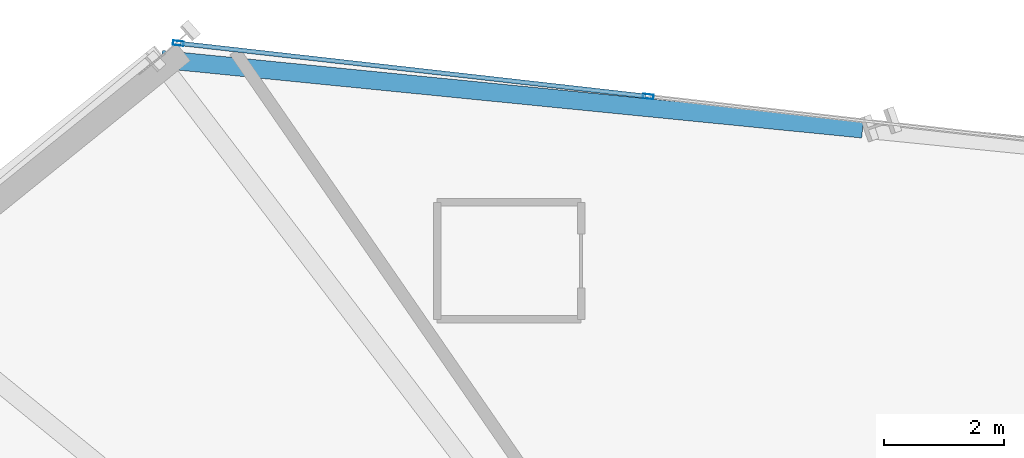
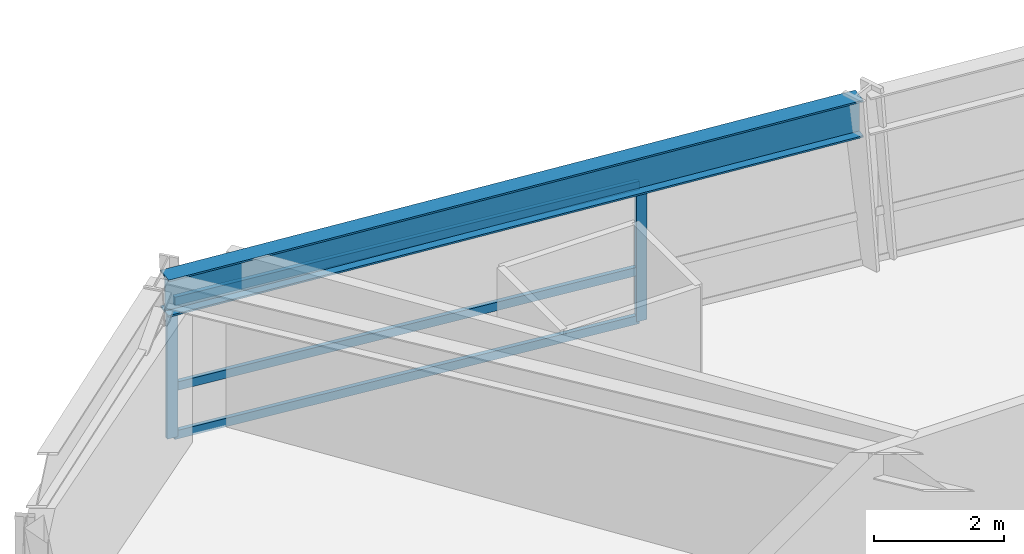
# One storey, part 8 of 22: 5 members, 1 beam, 1 element without a shape of its own.
"""IFC4 building model written with IfcOpenShell, lengths in metres."""

from ifc_helpers import new_model, si_unit, direction, frame, origin, origin_2d, place, context, subcontext, project, spatial, hollow_rectangle, i_section, extrude, source, transform, mapped, material, material_profile, profile_set, type_object, element, aggregate, save


model = new_model("IFC4")

# Units and contexts
model_context = context("Model", 3, precision=1e-05, world=origin(), true_north=direction((0.0, 1.0)))
body_context = subcontext(model_context, "Body", "Model", "MODEL_VIEW")
ifc_project = project(units=[si_unit("LENGTHUNIT", "METRE"), si_unit("AREAUNIT", "SQUARE_METRE"), si_unit("VOLUMEUNIT", "CUBIC_METRE"), si_unit("PLANEANGLEUNIT", "RADIAN"), si_unit("MASSUNIT", "GRAM", prefix="KILO")], contexts=[model_context])

# Site, building, storey
site_placement = place(None, origin())
site = spatial("IfcSite", under=ifc_project, at=site_placement, CompositionType="ELEMENT")
building_placement = place(site_placement, origin())
building = spatial("IfcBuilding", under=site, at=building_placement, Name="Olszyna Solenne Hotel", CompositionType="ELEMENT")
storey_placement = place(building_placement, frame((0.0, 0.0, 61.25)))
storey = spatial("IfcBuildingStorey", under=building, at=storey_placement, Name="L15", CompositionType="ELEMENT", Elevation=61.25)

# Beam
ifc_material_1 = material(Name="Steel S355J2", Category="steel")
ifc_material_profile_1 = material_profile(ifc_material_1, i_section(OverallWidth=0.300048828125, OverallDepth=0.699951171875, WebThickness=0.01708984375, FlangeThickness=0.031982421875, at=origin_2d()), Name="HEB 700", Category="load-bearing")
ifc_profile_set_1 = profile_set([ifc_material_profile_1], Name="Steel S355J2")
beam_type = type_object("IfcBeamType", Name="BM-S1", PredefinedType="BEAM", material=ifc_profile_set_1)
shared_shape_1 = source(origin(), body_context, "Body", "SweptSolid", [
    extrude(i_section(OverallWidth=0.300048828125, OverallDepth=0.699951171875, WebThickness=0.01708984375, FlangeThickness=0.031982421875, at=origin_2d()), origin(), (0.0, 0.0, 1.0), 11.748291015625),
])
beam_placement = place(storey_placement, frame((34.974365234375, 44.839111328125, 2.949951171875), z_axis=(-0.995101791396, 0.098855575267, 0.0), x_axis=(-0.098855575267, -0.995101791396, 0.0)))
element("IfcBeam", 1, at=beam_placement, inside=storey, type_object=beam_type, Name="Perimeter spandrel beam BM-S1 B-L15-0469", PredefinedType="BEAM", context=body_context, shape_type="MappedRepresentation", body=[
    mapped(shared_shape_1, transform((0.0, 0.0, 0.0), x_axis=(1.0, 0.0, 0.0), y_axis=(0.0, 1.0, 0.0), z_axis=(0.0, 0.0, 1.0), scale=1.0)),
])

# Curtain wall, members
ifc_material_2 = material(Name="Anodised bronze aluminium", Category="aluminium")
curtain_wall_type = type_object("IfcCurtainWallType", Name="CW-SYS-2", PredefinedType="NOTDEFINED", material=ifc_material_2)
curtain_wall_placement = place(storey_placement, origin())
curtain_wall = element("IfcCurtainWall", 2, at=curtain_wall_placement, inside=storey, type_object=curtain_wall_type, Name="Unitised curtain wall CW-SYS-2 CW-L15-02", PredefinedType="NOTDEFINED")
ifc_material_profile_2 = material_profile(ifc_material_2, hollow_rectangle(XDim=0.074951171875, YDim=0.179931640625, WallThickness=0.00439453125, at=origin_2d()), Name="MULL 180x75x4.5", Category="load-bearing")
ifc_profile_set_2 = profile_set([ifc_material_profile_2], Name="Anodised bronze aluminium")
member_type_1 = type_object("IfcMemberType", Name="CW-M2", PredefinedType="MULLION", material=ifc_profile_set_2)
shared_shape_2 = source(origin(), body_context, "Body", "SweptSolid", [
    extrude(hollow_rectangle(XDim=0.074951171875, YDim=0.179931640625, WallThickness=0.00439453125, at=origin_2d()), origin(), (0.0, 0.0, 1.0), 2.592041015625),
])
member_1_placement = place(storey_placement, frame((23.564697265625, 46.270263671875, 0.0), z_axis=(0.0, 0.0, 1.0), x_axis=(0.112596938937, 0.993640744606, 0.0)))
member_1 = element("IfcMember", 3, at=member_1_placement, type_object=member_type_1, Name="Curtain-wall mullion CW-M2 CM-L15-02-01", PredefinedType="MULLION", context=body_context, shape_type="MappedRepresentation", body=[
    mapped(shared_shape_2, transform((0.0, 0.0, 0.0), x_axis=(1.0, 0.0, 0.0), y_axis=(0.0, 1.0, 0.0), z_axis=(0.0, 0.0, 1.0), scale=1.0)),
])
member_2_placement = place(storey_placement, frame((31.39990234375, 45.38232421875, 0.0), z_axis=(0.0, 0.0, 1.0), x_axis=(0.112596938937, 0.993640744606, 0.0)))
member_2 = element("IfcMember", 4, at=member_2_placement, type_object=member_type_1, Name="Curtain-wall mullion CW-M2 CM-L15-02-02", PredefinedType="MULLION", context=body_context, shape_type="MappedRepresentation", body=[
    mapped(shared_shape_2, transform((0.0, 0.0, 0.0), x_axis=(1.0, 0.0, 0.0), y_axis=(0.0, 1.0, 0.0), z_axis=(0.0, 0.0, 1.0), scale=1.0)),
])
ifc_material_profile_3 = material_profile(ifc_material_2, hollow_rectangle(XDim=0.074951171875, YDim=0.159912109375, WallThickness=0.00390625, at=origin_2d()), Name="TRAN 160x75x4", Category="load-bearing")
ifc_profile_set_3 = profile_set([ifc_material_profile_3], Name="Anodised bronze aluminium")
member_type_2 = type_object("IfcMemberType", Name="CW-T1", PredefinedType="USERDEFINED", material=ifc_profile_set_3)
shared_shape_3 = source(origin(), body_context, "Body", "SweptSolid", [
    extrude(hollow_rectangle(XDim=0.074951171875, YDim=0.159912109375, WallThickness=0.00390625, at=origin_2d()), origin(), (0.0, 0.0, 1.0), 7.810546875),
])
member_3_placement = place(storey_placement, frame((23.601806640625, 46.26611328125, 0.03759765625), z_axis=(0.993641624905, -0.112589170245, 0.0), x_axis=(0.112589170245, 0.993641624905, 0.0)))
member_3 = element("IfcMember", 5, at=member_3_placement, type_object=member_type_2, Name="Curtain-wall transom CW-T1 CT-L15-02-01", ObjectType="TRANSOM", PredefinedType="USERDEFINED", context=body_context, shape_type="MappedRepresentation", body=[
    mapped(shared_shape_3, transform((0.0, 0.0, 0.0), x_axis=(1.0, 0.0, 0.0), y_axis=(0.0, 1.0, 0.0), z_axis=(0.0, 0.0, 1.0), scale=1.0)),
])
member_4_placement = place(storey_placement, frame((23.601806640625, 46.26611328125, 0.949951171875), z_axis=(0.993641624905, -0.112589170245, 0.0), x_axis=(0.112589170245, 0.993641624905, 0.0)))
member_4 = element("IfcMember", 6, at=member_4_placement, type_object=member_type_2, Name="Curtain-wall transom CW-T1 CT-L15-02-02", ObjectType="TRANSOM", PredefinedType="USERDEFINED", context=body_context, shape_type="MappedRepresentation", body=[
    mapped(shared_shape_3, transform((0.0, 0.0, 0.0), x_axis=(1.0, 0.0, 0.0), y_axis=(0.0, 1.0, 0.0), z_axis=(0.0, 0.0, 1.0), scale=1.0)),
])
member_5_placement = place(storey_placement, frame((23.601806640625, 46.26611328125, 2.554443359375), z_axis=(0.993641624905, -0.112589170245, 0.0), x_axis=(0.112589170245, 0.993641624905, 0.0)))
member_5 = element("IfcMember", 7, at=member_5_placement, type_object=member_type_2, Name="Curtain-wall transom CW-T1 CT-L15-02-03", ObjectType="TRANSOM", PredefinedType="USERDEFINED", context=body_context, shape_type="MappedRepresentation", body=[
    mapped(shared_shape_3, transform((0.0, 0.0, 0.0), x_axis=(1.0, 0.0, 0.0), y_axis=(0.0, 1.0, 0.0), z_axis=(0.0, 0.0, 1.0), scale=1.0)),
])
aggregate(curtain_wall, [member_1, member_2, member_3, member_4, member_5])

save(model, "model.ifc")
